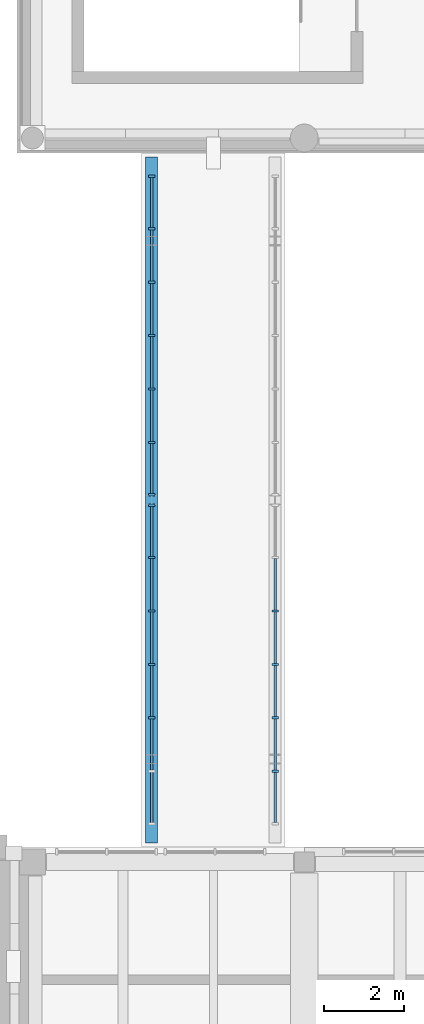
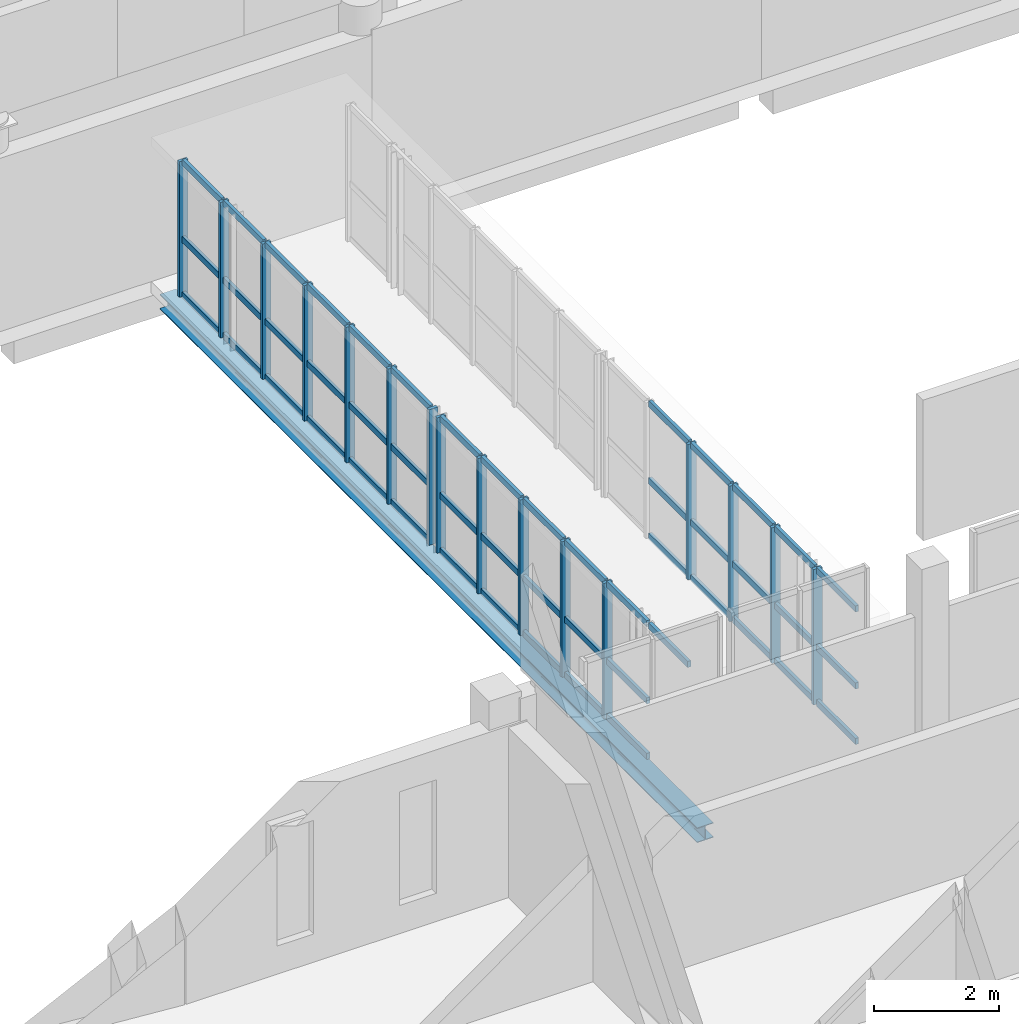
# One storey, part 12 of 76: 65 members, 1 beam, 3 elements without a shape of their own.
"""IFC4 building model written with IfcOpenShell, lengths in metres."""

from ifc_helpers import new_model, si_unit, direction, frame, origin, origin_2d, place, context, subcontext, project, spatial, rectangle, i_section, extrude, material, layer, layer_set, material_profile, profile_set, type_object, element, aggregate, save


model = new_model("IFC4")

# Units and contexts
model_context = context("Model", 3, precision=1e-05, world=origin(), true_north=direction((0.0, 1.0)))
body_context = subcontext(model_context, "Body", "Model", "MODEL_VIEW")
ifc_project = project(units=[si_unit("LENGTHUNIT", "METRE"), si_unit("AREAUNIT", "SQUARE_METRE"), si_unit("VOLUMEUNIT", "CUBIC_METRE"), si_unit("PLANEANGLEUNIT", "RADIAN"), si_unit("MASSUNIT", "GRAM", prefix="KILO")], contexts=[model_context])

# Site, building, storey
site_placement = place(None, origin())
site = spatial("IfcSite", under=ifc_project, at=site_placement, CompositionType="ELEMENT")
building_placement = place(site_placement, origin())
building = spatial("IfcBuilding", under=site, at=building_placement, Name="Vardoun Plaza Health Centre", CompositionType="ELEMENT")
storey_placement = place(building_placement, frame((0.0, 0.0, 4.5)))
storey = spatial("IfcBuildingStorey", under=building, at=storey_placement, Name="L01", CompositionType="ELEMENT", Elevation=4.5)

# Beam
ifc_material_1 = material(Name="Steel S355J2", Category="steel")
ifc_material_profile_1 = material_profile(ifc_material_1, i_section(OverallWidth=0.300048828125, OverallDepth=0.2900390625, WebThickness=0.008544921875, FlangeThickness=0.013916015625, FilletRadius=0.027099609375, at=origin_2d()), Name="HEA 300")
ifc_profile_set_1 = profile_set([ifc_material_profile_1], Name="Steel S355J2")
beam_type = type_object("IfcBeamType", Name="SB-05", PredefinedType="BEAM", material=ifc_profile_set_1)
beam_placement = place(storey_placement, frame((51.25, 19.0, -0.364990234375), z_axis=(0.0, 1.0, 0.0), x_axis=(-1.0, 0.0, 0.0)))
element("IfcBeam", 1, at=beam_placement, inside=storey, type_object=beam_type, Name="Bridge BR-06 Edge Steel Girder W", PredefinedType="BEAM", context=body_context, shape_type="SweptSolid", body=[
    extrude(i_section(OverallWidth=0.300048828125, OverallDepth=0.2900390625, WebThickness=0.008544921875, FlangeThickness=0.013916015625, FilletRadius=0.027099609375, at=origin_2d()), origin(), (0.0, 0.0, 1.0), 17.199951171875),
])

# Curtain wall, members
ifc_material_2 = material(Name="Aluminium Alloy EN AW-6063-T6 and Low-E Glass", Category="aluminium")
ifc_layer = layer(ifc_material_2, 0.14990234375)
ifc_layer_set = layer_set([ifc_layer], Name="Aluminium Alloy EN AW-6063-T6 and Low-E Glass")
curtain_wall_type = type_object("IfcCurtainWallType", Name="CW-03", PredefinedType="NOTDEFINED", material=ifc_layer_set)
curtain_wall_1_placement = place(storey_placement, origin())
curtain_wall_1 = element("IfcCurtainWall", 2, at=curtain_wall_1_placement, inside=storey, type_object=curtain_wall_type, Name="Curtain Wall CW-BR-6WS", PredefinedType="NOTDEFINED")
ifc_material_3 = material(Name="Aluminium Alloy EN AW-6063-T6", Category="aluminium")
ifc_material_profile_2 = material_profile(ifc_material_3, rectangle(XDim=0.159912109375, YDim=0.06005859375, at=origin_2d()), Name="CWM 60x160")
ifc_profile_set_2 = profile_set([ifc_material_profile_2], Name="Aluminium Alloy EN AW-6063-T6")
member_type_1 = type_object("IfcMemberType", Name="CW-M1", PredefinedType="MULLION", material=ifc_profile_set_2)
member_1_placement = place(storey_placement, frame((51.25, 22.13330078125, 0.0), z_axis=(0.0, 0.0, 1.0), x_axis=(-1.0, 0.0, 0.0)))
member_1 = element("IfcMember", 3, at=member_1_placement, type_object=member_type_1, Name="CW-BR-6WS mullion 3", PredefinedType="MULLION", context=body_context, shape_type="SweptSolid", body=[
    extrude(rectangle(XDim=0.159912109375, YDim=0.06005859375, at=origin_2d()), origin(), (0.0, 0.0, 1.0), 2.64990234375),
])
member_2_placement = place(storey_placement, frame((51.25, 23.47509765625, 0.0), z_axis=(0.0, 0.0, 1.0), x_axis=(-1.0, 0.0, 0.0)))
member_2 = element("IfcMember", 4, at=member_2_placement, type_object=member_type_1, Name="CW-BR-6WS mullion 4", PredefinedType="MULLION", context=body_context, shape_type="SweptSolid", body=[
    extrude(rectangle(XDim=0.159912109375, YDim=0.06005859375, at=origin_2d()), origin(), (0.0, 0.0, 1.0), 2.64990234375),
])
member_3_placement = place(storey_placement, frame((51.25, 24.81689453125, 0.0), z_axis=(0.0, 0.0, 1.0), x_axis=(-1.0, 0.0, 0.0)))
member_3 = element("IfcMember", 5, at=member_3_placement, type_object=member_type_1, Name="CW-BR-6WS mullion 5", PredefinedType="MULLION", context=body_context, shape_type="SweptSolid", body=[
    extrude(rectangle(XDim=0.159912109375, YDim=0.06005859375, at=origin_2d()), origin(), (0.0, 0.0, 1.0), 2.64990234375),
])
member_4_placement = place(storey_placement, frame((51.25, 26.158447265625, 0.0), z_axis=(0.0, 0.0, 1.0), x_axis=(-1.0, 0.0, 0.0)))
member_4 = element("IfcMember", 6, at=member_4_placement, type_object=member_type_1, Name="CW-BR-6WS mullion 6", PredefinedType="MULLION", context=body_context, shape_type="SweptSolid", body=[
    extrude(rectangle(XDim=0.159912109375, YDim=0.06005859375, at=origin_2d()), origin(), (0.0, 0.0, 1.0), 2.64990234375),
])
member_5_placement = place(storey_placement, frame((51.25, 27.469970703125, 0.0), z_axis=(0.0, 0.0, 1.0), x_axis=(-1.0, 0.0, 0.0)))
member_5 = element("IfcMember", 7, at=member_5_placement, type_object=member_type_1, Name="CW-BR-6WS mullion 7", PredefinedType="MULLION", context=body_context, shape_type="SweptSolid", body=[
    extrude(rectangle(XDim=0.159912109375, YDim=0.06005859375, at=origin_2d()), origin(), (0.0, 0.0, 1.0), 2.64990234375),
])

curtain_wall_2_placement = place(storey_placement, origin())
curtain_wall_2 = element("IfcCurtainWall", 8, at=curtain_wall_2_placement, inside=storey, type_object=curtain_wall_type, Name="Curtain Wall CW-BR-6ES", PredefinedType="NOTDEFINED")
member_6_placement = place(storey_placement, frame((54.35009765625, 24.81689453125, 0.0), z_axis=(0.0, 0.0, 1.0), x_axis=(1.0, 0.0, 0.0)))
member_6 = element("IfcMember", 9, at=member_6_placement, type_object=member_type_1, Name="CW-BR-6ES mullion 3", PredefinedType="MULLION", context=body_context, shape_type="SweptSolid", body=[
    extrude(rectangle(XDim=0.159912109375, YDim=0.06005859375, at=origin_2d()), origin(), (0.0, 0.0, 1.0), 2.64990234375),
])
member_7_placement = place(storey_placement, frame((54.35009765625, 23.47509765625, 0.0), z_axis=(0.0, 0.0, 1.0), x_axis=(1.0, 0.0, 0.0)))
member_7 = element("IfcMember", 10, at=member_7_placement, type_object=member_type_1, Name="CW-BR-6ES mullion 4", PredefinedType="MULLION", context=body_context, shape_type="SweptSolid", body=[
    extrude(rectangle(XDim=0.159912109375, YDim=0.06005859375, at=origin_2d()), origin(), (0.0, 0.0, 1.0), 2.64990234375),
])
member_8_placement = place(storey_placement, frame((54.35009765625, 22.13330078125, 0.0), z_axis=(0.0, 0.0, 1.0), x_axis=(1.0, 0.0, 0.0)))
member_8 = element("IfcMember", 11, at=member_8_placement, type_object=member_type_1, Name="CW-BR-6ES mullion 5", PredefinedType="MULLION", context=body_context, shape_type="SweptSolid", body=[
    extrude(rectangle(XDim=0.159912109375, YDim=0.06005859375, at=origin_2d()), origin(), (0.0, 0.0, 1.0), 2.64990234375),
])
member_9_placement = place(storey_placement, frame((54.35009765625, 20.791748046875, 0.0), z_axis=(0.0, 0.0, 1.0), x_axis=(1.0, 0.0, 0.0)))
member_9 = element("IfcMember", 12, at=member_9_placement, type_object=member_type_1, Name="CW-BR-6ES mullion 6", PredefinedType="MULLION", context=body_context, shape_type="SweptSolid", body=[
    extrude(rectangle(XDim=0.159912109375, YDim=0.06005859375, at=origin_2d()), origin(), (0.0, 0.0, 1.0), 2.64990234375),
])

curtain_wall_3_placement = place(storey_placement, origin())
curtain_wall_3 = element("IfcCurtainWall", 13, at=curtain_wall_3_placement, inside=storey, type_object=curtain_wall_type, Name="Curtain Wall CW-BR-6WN", PredefinedType="NOTDEFINED")
member_10_placement = place(storey_placement, frame((51.25, 27.72998046875, 0.0), z_axis=(0.0, 0.0, 1.0), x_axis=(-1.0, 0.0, 0.0)))
member_10 = element("IfcMember", 14, at=member_10_placement, type_object=member_type_1, Name="CW-BR-6WN mullion 1", PredefinedType="MULLION", context=body_context, shape_type="SweptSolid", body=[
    extrude(rectangle(XDim=0.159912109375, YDim=0.06005859375, at=origin_2d()), origin(), (0.0, 0.0, 1.0), 2.64990234375),
])
member_11_placement = place(storey_placement, frame((51.25, 29.041748046875, 0.0), z_axis=(0.0, 0.0, 1.0), x_axis=(-1.0, 0.0, 0.0)))
member_11 = element("IfcMember", 15, at=member_11_placement, type_object=member_type_1, Name="CW-BR-6WN mullion 2", PredefinedType="MULLION", context=body_context, shape_type="SweptSolid", body=[
    extrude(rectangle(XDim=0.159912109375, YDim=0.06005859375, at=origin_2d()), origin(), (0.0, 0.0, 1.0), 2.64990234375),
])
member_12_placement = place(storey_placement, frame((51.25, 30.38330078125, 0.0), z_axis=(0.0, 0.0, 1.0), x_axis=(-1.0, 0.0, 0.0)))
member_12 = element("IfcMember", 16, at=member_12_placement, type_object=member_type_1, Name="CW-BR-6WN mullion 3", PredefinedType="MULLION", context=body_context, shape_type="SweptSolid", body=[
    extrude(rectangle(XDim=0.159912109375, YDim=0.06005859375, at=origin_2d()), origin(), (0.0, 0.0, 1.0), 2.64990234375),
])
member_13_placement = place(storey_placement, frame((51.25, 31.72509765625, 0.0), z_axis=(0.0, 0.0, 1.0), x_axis=(-1.0, 0.0, 0.0)))
member_13 = element("IfcMember", 17, at=member_13_placement, type_object=member_type_1, Name="CW-BR-6WN mullion 4", PredefinedType="MULLION", context=body_context, shape_type="SweptSolid", body=[
    extrude(rectangle(XDim=0.159912109375, YDim=0.06005859375, at=origin_2d()), origin(), (0.0, 0.0, 1.0), 2.64990234375),
])
member_14_placement = place(storey_placement, frame((51.25, 33.066650390625, 0.0), z_axis=(0.0, 0.0, 1.0), x_axis=(-1.0, 0.0, 0.0)))
member_14 = element("IfcMember", 18, at=member_14_placement, type_object=member_type_1, Name="CW-BR-6WN mullion 5", PredefinedType="MULLION", context=body_context, shape_type="SweptSolid", body=[
    extrude(rectangle(XDim=0.159912109375, YDim=0.06005859375, at=origin_2d()), origin(), (0.0, 0.0, 1.0), 2.64990234375),
])
member_15_placement = place(storey_placement, frame((51.25, 34.408447265625, 0.0), z_axis=(0.0, 0.0, 1.0), x_axis=(-1.0, 0.0, 0.0)))
member_15 = element("IfcMember", 19, at=member_15_placement, type_object=member_type_1, Name="CW-BR-6WN mullion 6", PredefinedType="MULLION", context=body_context, shape_type="SweptSolid", body=[
    extrude(rectangle(XDim=0.159912109375, YDim=0.06005859375, at=origin_2d()), origin(), (0.0, 0.0, 1.0), 2.64990234375),
])
member_16_placement = place(storey_placement, frame((51.25, 35.719970703125, 0.0), z_axis=(0.0, 0.0, 1.0), x_axis=(-1.0, 0.0, 0.0)))
member_16 = element("IfcMember", 20, at=member_16_placement, type_object=member_type_1, Name="CW-BR-6WN mullion 7", PredefinedType="MULLION", context=body_context, shape_type="SweptSolid", body=[
    extrude(rectangle(XDim=0.159912109375, YDim=0.06005859375, at=origin_2d()), origin(), (0.0, 0.0, 1.0), 2.64990234375),
])

# Member
ifc_material_4 = material(Name="Aluminium Alloy EN AW-6063-T6", Category="aluminium")
ifc_material_profile_3 = material_profile(ifc_material_4, rectangle(XDim=0.06005859375, YDim=0.1201171875, at=origin_2d()), Name="CWT 60x120")
ifc_profile_set_3 = profile_set([ifc_material_profile_3], Name="Aluminium Alloy EN AW-6063-T6")
member_type_2 = type_object("IfcMemberType", Name="CW-T1", PredefinedType="USERDEFINED", material=ifc_profile_set_3)
member_17_placement = place(storey_placement, frame((51.25, 19.510009765625, 2.6201171875), z_axis=(0.0, 1.0, 0.0), x_axis=(-1.0, 0.0, 0.0)))
member_17 = element("IfcMember", 21, at=member_17_placement, type_object=member_type_2, Name="CW-BR-6WS transom 1.3", ObjectType="TRANSOM", PredefinedType="USERDEFINED", context=body_context, shape_type="SweptSolid", body=[
    extrude(rectangle(XDim=0.06005859375, YDim=0.1201171875, at=origin_2d()), origin(), (0.0, 0.0, 1.0), 1.251708984375),
])

member_18_placement = place(storey_placement, frame((51.25, 20.82177734375, 0.030029296875), z_axis=(0.0, 1.0, 0.0), x_axis=(-1.0, 0.0, 0.0)))
member_18 = element("IfcMember", 22, at=member_18_placement, type_object=member_type_2, Name="CW-BR-6WS transom 2.1", ObjectType="TRANSOM", PredefinedType="USERDEFINED", context=body_context, shape_type="SweptSolid", body=[
    extrude(rectangle(XDim=0.06005859375, YDim=0.1201171875, at=origin_2d()), origin(), (0.0, 0.0, 1.0), 1.28173828125),
])

member_19_placement = place(storey_placement, frame((51.25, 20.82177734375, 1.113037109375), z_axis=(0.0, 1.0, 0.0), x_axis=(-1.0, 0.0, 0.0)))
member_19 = element("IfcMember", 23, at=member_19_placement, type_object=member_type_2, Name="CW-BR-6WS transom 2.2", ObjectType="TRANSOM", PredefinedType="USERDEFINED", context=body_context, shape_type="SweptSolid", body=[
    extrude(rectangle(XDim=0.06005859375, YDim=0.1201171875, at=origin_2d()), origin(), (0.0, 0.0, 1.0), 1.28173828125),
])

member_20_placement = place(storey_placement, frame((51.25, 20.82177734375, 2.6201171875), z_axis=(0.0, 1.0, 0.0), x_axis=(-1.0, 0.0, 0.0)))
member_20 = element("IfcMember", 24, at=member_20_placement, type_object=member_type_2, Name="CW-BR-6WS transom 2.3", ObjectType="TRANSOM", PredefinedType="USERDEFINED", context=body_context, shape_type="SweptSolid", body=[
    extrude(rectangle(XDim=0.06005859375, YDim=0.1201171875, at=origin_2d()), origin(), (0.0, 0.0, 1.0), 1.28173828125),
])

member_21_placement = place(storey_placement, frame((51.25, 22.163330078125, 0.030029296875), z_axis=(0.0, 1.0, 0.0), x_axis=(-1.0, 0.0, 0.0)))
member_21 = element("IfcMember", 25, at=member_21_placement, type_object=member_type_2, Name="CW-BR-6WS transom 3.1", ObjectType="TRANSOM", PredefinedType="USERDEFINED", context=body_context, shape_type="SweptSolid", body=[
    extrude(rectangle(XDim=0.06005859375, YDim=0.1201171875, at=origin_2d()), origin(), (0.0, 0.0, 1.0), 1.28173828125),
])

member_22_placement = place(storey_placement, frame((51.25, 22.163330078125, 1.113037109375), z_axis=(0.0, 1.0, 0.0), x_axis=(-1.0, 0.0, 0.0)))
member_22 = element("IfcMember", 26, at=member_22_placement, type_object=member_type_2, Name="CW-BR-6WS transom 3.2", ObjectType="TRANSOM", PredefinedType="USERDEFINED", context=body_context, shape_type="SweptSolid", body=[
    extrude(rectangle(XDim=0.06005859375, YDim=0.1201171875, at=origin_2d()), origin(), (0.0, 0.0, 1.0), 1.28173828125),
])

member_23_placement = place(storey_placement, frame((51.25, 22.163330078125, 2.6201171875), z_axis=(0.0, 1.0, 0.0), x_axis=(-1.0, 0.0, 0.0)))
member_23 = element("IfcMember", 27, at=member_23_placement, type_object=member_type_2, Name="CW-BR-6WS transom 3.3", ObjectType="TRANSOM", PredefinedType="USERDEFINED", context=body_context, shape_type="SweptSolid", body=[
    extrude(rectangle(XDim=0.06005859375, YDim=0.1201171875, at=origin_2d()), origin(), (0.0, 0.0, 1.0), 1.28173828125),
])

member_24_placement = place(storey_placement, frame((51.25, 23.5048828125, 0.030029296875), z_axis=(0.0, 1.0, 0.0), x_axis=(-1.0, 0.0, 0.0)))
member_24 = element("IfcMember", 28, at=member_24_placement, type_object=member_type_2, Name="CW-BR-6WS transom 4.1", ObjectType="TRANSOM", PredefinedType="USERDEFINED", context=body_context, shape_type="SweptSolid", body=[
    extrude(rectangle(XDim=0.06005859375, YDim=0.1201171875, at=origin_2d()), origin(), (0.0, 0.0, 1.0), 1.28173828125),
])

member_25_placement = place(storey_placement, frame((51.25, 23.5048828125, 1.113037109375), z_axis=(0.0, 1.0, 0.0), x_axis=(-1.0, 0.0, 0.0)))
member_25 = element("IfcMember", 29, at=member_25_placement, type_object=member_type_2, Name="CW-BR-6WS transom 4.2", ObjectType="TRANSOM", PredefinedType="USERDEFINED", context=body_context, shape_type="SweptSolid", body=[
    extrude(rectangle(XDim=0.06005859375, YDim=0.1201171875, at=origin_2d()), origin(), (0.0, 0.0, 1.0), 1.28173828125),
])

member_26_placement = place(storey_placement, frame((51.25, 23.5048828125, 2.6201171875), z_axis=(0.0, 1.0, 0.0), x_axis=(-1.0, 0.0, 0.0)))
member_26 = element("IfcMember", 30, at=member_26_placement, type_object=member_type_2, Name="CW-BR-6WS transom 4.3", ObjectType="TRANSOM", PredefinedType="USERDEFINED", context=body_context, shape_type="SweptSolid", body=[
    extrude(rectangle(XDim=0.06005859375, YDim=0.1201171875, at=origin_2d()), origin(), (0.0, 0.0, 1.0), 1.28173828125),
])

member_27_placement = place(storey_placement, frame((51.25, 24.8466796875, 0.030029296875), z_axis=(0.0, 1.0, 0.0), x_axis=(-1.0, 0.0, 0.0)))
member_27 = element("IfcMember", 31, at=member_27_placement, type_object=member_type_2, Name="CW-BR-6WS transom 5.1", ObjectType="TRANSOM", PredefinedType="USERDEFINED", context=body_context, shape_type="SweptSolid", body=[
    extrude(rectangle(XDim=0.06005859375, YDim=0.1201171875, at=origin_2d()), origin(), (0.0, 0.0, 1.0), 1.28173828125),
])

member_28_placement = place(storey_placement, frame((51.25, 24.8466796875, 1.113037109375), z_axis=(0.0, 1.0, 0.0), x_axis=(-1.0, 0.0, 0.0)))
member_28 = element("IfcMember", 32, at=member_28_placement, type_object=member_type_2, Name="CW-BR-6WS transom 5.2", ObjectType="TRANSOM", PredefinedType="USERDEFINED", context=body_context, shape_type="SweptSolid", body=[
    extrude(rectangle(XDim=0.06005859375, YDim=0.1201171875, at=origin_2d()), origin(), (0.0, 0.0, 1.0), 1.28173828125),
])

member_29_placement = place(storey_placement, frame((51.25, 24.8466796875, 2.6201171875), z_axis=(0.0, 1.0, 0.0), x_axis=(-1.0, 0.0, 0.0)))
member_29 = element("IfcMember", 33, at=member_29_placement, type_object=member_type_2, Name="CW-BR-6WS transom 5.3", ObjectType="TRANSOM", PredefinedType="USERDEFINED", context=body_context, shape_type="SweptSolid", body=[
    extrude(rectangle(XDim=0.06005859375, YDim=0.1201171875, at=origin_2d()), origin(), (0.0, 0.0, 1.0), 1.28173828125),
])

member_30_placement = place(storey_placement, frame((51.25, 26.1884765625, 0.030029296875), z_axis=(0.0, 1.0, 0.0), x_axis=(-1.0, 0.0, 0.0)))
member_30 = element("IfcMember", 34, at=member_30_placement, type_object=member_type_2, Name="CW-BR-6WS transom 6.1", ObjectType="TRANSOM", PredefinedType="USERDEFINED", context=body_context, shape_type="SweptSolid", body=[
    extrude(rectangle(XDim=0.06005859375, YDim=0.1201171875, at=origin_2d()), origin(), (0.0, 0.0, 1.0), 1.251708984375),
])

member_31_placement = place(storey_placement, frame((51.25, 26.1884765625, 1.113037109375), z_axis=(0.0, 1.0, 0.0), x_axis=(-1.0, 0.0, 0.0)))
member_31 = element("IfcMember", 35, at=member_31_placement, type_object=member_type_2, Name="CW-BR-6WS transom 6.2", ObjectType="TRANSOM", PredefinedType="USERDEFINED", context=body_context, shape_type="SweptSolid", body=[
    extrude(rectangle(XDim=0.06005859375, YDim=0.1201171875, at=origin_2d()), origin(), (0.0, 0.0, 1.0), 1.251708984375),
])

member_32_placement = place(storey_placement, frame((51.25, 26.1884765625, 2.6201171875), z_axis=(0.0, 1.0, 0.0), x_axis=(-1.0, 0.0, 0.0)))
member_32 = element("IfcMember", 36, at=member_32_placement, type_object=member_type_2, Name="CW-BR-6WS transom 6.3", ObjectType="TRANSOM", PredefinedType="USERDEFINED", context=body_context, shape_type="SweptSolid", body=[
    extrude(rectangle(XDim=0.06005859375, YDim=0.1201171875, at=origin_2d()), origin(), (0.0, 0.0, 1.0), 1.251708984375),
])

aggregate(curtain_wall_1, [member_1, member_2, member_3, member_4, member_5, member_17, member_18, member_19, member_20, member_21, member_22, member_23, member_24, member_25, member_26, member_27, member_28, member_29, member_30, member_31, member_32])

member_33_placement = place(storey_placement, frame((54.35009765625, 26.12841796875, 0.030029296875), z_axis=(0.0, -1.0, 0.0), x_axis=(1.0, 0.0, 0.0)))
member_33 = element("IfcMember", 37, at=member_33_placement, type_object=member_type_2, Name="CW-BR-6ES transom 2.1", ObjectType="TRANSOM", PredefinedType="USERDEFINED", context=body_context, shape_type="SweptSolid", body=[
    extrude(rectangle(XDim=0.06005859375, YDim=0.1201171875, at=origin_2d()), origin(), (0.0, 0.0, 1.0), 1.28173828125),
])

member_34_placement = place(storey_placement, frame((54.35009765625, 26.12841796875, 1.113037109375), z_axis=(0.0, -1.0, 0.0), x_axis=(1.0, 0.0, 0.0)))
member_34 = element("IfcMember", 38, at=member_34_placement, type_object=member_type_2, Name="CW-BR-6ES transom 2.2", ObjectType="TRANSOM", PredefinedType="USERDEFINED", context=body_context, shape_type="SweptSolid", body=[
    extrude(rectangle(XDim=0.06005859375, YDim=0.1201171875, at=origin_2d()), origin(), (0.0, 0.0, 1.0), 1.28173828125),
])

member_35_placement = place(storey_placement, frame((54.35009765625, 26.12841796875, 2.6201171875), z_axis=(0.0, -1.0, 0.0), x_axis=(1.0, 0.0, 0.0)))
member_35 = element("IfcMember", 39, at=member_35_placement, type_object=member_type_2, Name="CW-BR-6ES transom 2.3", ObjectType="TRANSOM", PredefinedType="USERDEFINED", context=body_context, shape_type="SweptSolid", body=[
    extrude(rectangle(XDim=0.06005859375, YDim=0.1201171875, at=origin_2d()), origin(), (0.0, 0.0, 1.0), 1.28173828125),
])

member_36_placement = place(storey_placement, frame((54.35009765625, 24.78662109375, 0.030029296875), z_axis=(0.0, -1.0, 0.0), x_axis=(1.0, 0.0, 0.0)))
member_36 = element("IfcMember", 40, at=member_36_placement, type_object=member_type_2, Name="CW-BR-6ES transom 3.1", ObjectType="TRANSOM", PredefinedType="USERDEFINED", context=body_context, shape_type="SweptSolid", body=[
    extrude(rectangle(XDim=0.06005859375, YDim=0.1201171875, at=origin_2d()), origin(), (0.0, 0.0, 1.0), 1.28173828125),
])

member_37_placement = place(storey_placement, frame((54.35009765625, 24.78662109375, 1.113037109375), z_axis=(0.0, -1.0, 0.0), x_axis=(1.0, 0.0, 0.0)))
member_37 = element("IfcMember", 41, at=member_37_placement, type_object=member_type_2, Name="CW-BR-6ES transom 3.2", ObjectType="TRANSOM", PredefinedType="USERDEFINED", context=body_context, shape_type="SweptSolid", body=[
    extrude(rectangle(XDim=0.06005859375, YDim=0.1201171875, at=origin_2d()), origin(), (0.0, 0.0, 1.0), 1.28173828125),
])

member_38_placement = place(storey_placement, frame((54.35009765625, 24.78662109375, 2.6201171875), z_axis=(0.0, -1.0, 0.0), x_axis=(1.0, 0.0, 0.0)))
member_38 = element("IfcMember", 42, at=member_38_placement, type_object=member_type_2, Name="CW-BR-6ES transom 3.3", ObjectType="TRANSOM", PredefinedType="USERDEFINED", context=body_context, shape_type="SweptSolid", body=[
    extrude(rectangle(XDim=0.06005859375, YDim=0.1201171875, at=origin_2d()), origin(), (0.0, 0.0, 1.0), 1.28173828125),
])

member_39_placement = place(storey_placement, frame((54.35009765625, 23.445068359375, 0.030029296875), z_axis=(0.0, -1.0, 0.0), x_axis=(1.0, 0.0, 0.0)))
member_39 = element("IfcMember", 43, at=member_39_placement, type_object=member_type_2, Name="CW-BR-6ES transom 4.1", ObjectType="TRANSOM", PredefinedType="USERDEFINED", context=body_context, shape_type="SweptSolid", body=[
    extrude(rectangle(XDim=0.06005859375, YDim=0.1201171875, at=origin_2d()), origin(), (0.0, 0.0, 1.0), 1.28173828125),
])

member_40_placement = place(storey_placement, frame((54.35009765625, 23.445068359375, 1.113037109375), z_axis=(0.0, -1.0, 0.0), x_axis=(1.0, 0.0, 0.0)))
member_40 = element("IfcMember", 44, at=member_40_placement, type_object=member_type_2, Name="CW-BR-6ES transom 4.2", ObjectType="TRANSOM", PredefinedType="USERDEFINED", context=body_context, shape_type="SweptSolid", body=[
    extrude(rectangle(XDim=0.06005859375, YDim=0.1201171875, at=origin_2d()), origin(), (0.0, 0.0, 1.0), 1.28173828125),
])

member_41_placement = place(storey_placement, frame((54.35009765625, 23.445068359375, 2.6201171875), z_axis=(0.0, -1.0, 0.0), x_axis=(1.0, 0.0, 0.0)))
member_41 = element("IfcMember", 45, at=member_41_placement, type_object=member_type_2, Name="CW-BR-6ES transom 4.3", ObjectType="TRANSOM", PredefinedType="USERDEFINED", context=body_context, shape_type="SweptSolid", body=[
    extrude(rectangle(XDim=0.06005859375, YDim=0.1201171875, at=origin_2d()), origin(), (0.0, 0.0, 1.0), 1.28173828125),
])

member_42_placement = place(storey_placement, frame((54.35009765625, 22.103515625, 0.030029296875), z_axis=(0.0, -1.0, 0.0), x_axis=(1.0, 0.0, 0.0)))
member_42 = element("IfcMember", 46, at=member_42_placement, type_object=member_type_2, Name="CW-BR-6ES transom 5.1", ObjectType="TRANSOM", PredefinedType="USERDEFINED", context=body_context, shape_type="SweptSolid", body=[
    extrude(rectangle(XDim=0.06005859375, YDim=0.1201171875, at=origin_2d()), origin(), (0.0, 0.0, 1.0), 1.28173828125),
])

member_43_placement = place(storey_placement, frame((54.35009765625, 22.103515625, 1.113037109375), z_axis=(0.0, -1.0, 0.0), x_axis=(1.0, 0.0, 0.0)))
member_43 = element("IfcMember", 47, at=member_43_placement, type_object=member_type_2, Name="CW-BR-6ES transom 5.2", ObjectType="TRANSOM", PredefinedType="USERDEFINED", context=body_context, shape_type="SweptSolid", body=[
    extrude(rectangle(XDim=0.06005859375, YDim=0.1201171875, at=origin_2d()), origin(), (0.0, 0.0, 1.0), 1.28173828125),
])

member_44_placement = place(storey_placement, frame((54.35009765625, 22.103515625, 2.6201171875), z_axis=(0.0, -1.0, 0.0), x_axis=(1.0, 0.0, 0.0)))
member_44 = element("IfcMember", 48, at=member_44_placement, type_object=member_type_2, Name="CW-BR-6ES transom 5.3", ObjectType="TRANSOM", PredefinedType="USERDEFINED", context=body_context, shape_type="SweptSolid", body=[
    extrude(rectangle(XDim=0.06005859375, YDim=0.1201171875, at=origin_2d()), origin(), (0.0, 0.0, 1.0), 1.28173828125),
])

member_45_placement = place(storey_placement, frame((54.35009765625, 20.76171875, 0.030029296875), z_axis=(0.0, -1.0, 0.0), x_axis=(1.0, 0.0, 0.0)))
member_45 = element("IfcMember", 49, at=member_45_placement, type_object=member_type_2, Name="CW-BR-6ES transom 6.1", ObjectType="TRANSOM", PredefinedType="USERDEFINED", context=body_context, shape_type="SweptSolid", body=[
    extrude(rectangle(XDim=0.06005859375, YDim=0.1201171875, at=origin_2d()), origin(), (0.0, 0.0, 1.0), 1.251708984375),
])

member_46_placement = place(storey_placement, frame((54.35009765625, 20.76171875, 1.113037109375), z_axis=(0.0, -1.0, 0.0), x_axis=(1.0, 0.0, 0.0)))
member_46 = element("IfcMember", 50, at=member_46_placement, type_object=member_type_2, Name="CW-BR-6ES transom 6.2", ObjectType="TRANSOM", PredefinedType="USERDEFINED", context=body_context, shape_type="SweptSolid", body=[
    extrude(rectangle(XDim=0.06005859375, YDim=0.1201171875, at=origin_2d()), origin(), (0.0, 0.0, 1.0), 1.251708984375),
])

member_47_placement = place(storey_placement, frame((54.35009765625, 20.76171875, 2.6201171875), z_axis=(0.0, -1.0, 0.0), x_axis=(1.0, 0.0, 0.0)))
member_47 = element("IfcMember", 51, at=member_47_placement, type_object=member_type_2, Name="CW-BR-6ES transom 6.3", ObjectType="TRANSOM", PredefinedType="USERDEFINED", context=body_context, shape_type="SweptSolid", body=[
    extrude(rectangle(XDim=0.06005859375, YDim=0.1201171875, at=origin_2d()), origin(), (0.0, 0.0, 1.0), 1.251708984375),
])

aggregate(curtain_wall_2, [member_6, member_7, member_8, member_9, member_33, member_34, member_35, member_36, member_37, member_38, member_39, member_40, member_41, member_42, member_43, member_44, member_45, member_46, member_47])

member_48_placement = place(storey_placement, frame((51.25, 27.760009765625, 0.030029296875), z_axis=(0.0, 1.0, 0.0), x_axis=(-1.0, 0.0, 0.0)))
member_48 = element("IfcMember", 52, at=member_48_placement, type_object=member_type_2, Name="CW-BR-6WN transom 1.1", ObjectType="TRANSOM", PredefinedType="USERDEFINED", context=body_context, shape_type="SweptSolid", body=[
    extrude(rectangle(XDim=0.06005859375, YDim=0.1201171875, at=origin_2d()), origin(), (0.0, 0.0, 1.0), 1.251708984375),
])

member_49_placement = place(storey_placement, frame((51.25, 27.760009765625, 1.113037109375), z_axis=(0.0, 1.0, 0.0), x_axis=(-1.0, 0.0, 0.0)))
member_49 = element("IfcMember", 53, at=member_49_placement, type_object=member_type_2, Name="CW-BR-6WN transom 1.2", ObjectType="TRANSOM", PredefinedType="USERDEFINED", context=body_context, shape_type="SweptSolid", body=[
    extrude(rectangle(XDim=0.06005859375, YDim=0.1201171875, at=origin_2d()), origin(), (0.0, 0.0, 1.0), 1.251708984375),
])

member_50_placement = place(storey_placement, frame((51.25, 27.760009765625, 2.6201171875), z_axis=(0.0, 1.0, 0.0), x_axis=(-1.0, 0.0, 0.0)))
member_50 = element("IfcMember", 54, at=member_50_placement, type_object=member_type_2, Name="CW-BR-6WN transom 1.3", ObjectType="TRANSOM", PredefinedType="USERDEFINED", context=body_context, shape_type="SweptSolid", body=[
    extrude(rectangle(XDim=0.06005859375, YDim=0.1201171875, at=origin_2d()), origin(), (0.0, 0.0, 1.0), 1.251708984375),
])

member_51_placement = place(storey_placement, frame((51.25, 29.07177734375, 0.030029296875), z_axis=(0.0, 1.0, 0.0), x_axis=(-1.0, 0.0, 0.0)))
member_51 = element("IfcMember", 55, at=member_51_placement, type_object=member_type_2, Name="CW-BR-6WN transom 2.1", ObjectType="TRANSOM", PredefinedType="USERDEFINED", context=body_context, shape_type="SweptSolid", body=[
    extrude(rectangle(XDim=0.06005859375, YDim=0.1201171875, at=origin_2d()), origin(), (0.0, 0.0, 1.0), 1.28173828125),
])

member_52_placement = place(storey_placement, frame((51.25, 29.07177734375, 1.113037109375), z_axis=(0.0, 1.0, 0.0), x_axis=(-1.0, 0.0, 0.0)))
member_52 = element("IfcMember", 56, at=member_52_placement, type_object=member_type_2, Name="CW-BR-6WN transom 2.2", ObjectType="TRANSOM", PredefinedType="USERDEFINED", context=body_context, shape_type="SweptSolid", body=[
    extrude(rectangle(XDim=0.06005859375, YDim=0.1201171875, at=origin_2d()), origin(), (0.0, 0.0, 1.0), 1.28173828125),
])

member_53_placement = place(storey_placement, frame((51.25, 29.07177734375, 2.6201171875), z_axis=(0.0, 1.0, 0.0), x_axis=(-1.0, 0.0, 0.0)))
member_53 = element("IfcMember", 57, at=member_53_placement, type_object=member_type_2, Name="CW-BR-6WN transom 2.3", ObjectType="TRANSOM", PredefinedType="USERDEFINED", context=body_context, shape_type="SweptSolid", body=[
    extrude(rectangle(XDim=0.06005859375, YDim=0.1201171875, at=origin_2d()), origin(), (0.0, 0.0, 1.0), 1.28173828125),
])

member_54_placement = place(storey_placement, frame((51.25, 30.413330078125, 0.030029296875), z_axis=(0.0, 1.0, 0.0), x_axis=(-1.0, 0.0, 0.0)))
member_54 = element("IfcMember", 58, at=member_54_placement, type_object=member_type_2, Name="CW-BR-6WN transom 3.1", ObjectType="TRANSOM", PredefinedType="USERDEFINED", context=body_context, shape_type="SweptSolid", body=[
    extrude(rectangle(XDim=0.06005859375, YDim=0.1201171875, at=origin_2d()), origin(), (0.0, 0.0, 1.0), 1.28173828125),
])

member_55_placement = place(storey_placement, frame((51.25, 30.413330078125, 1.113037109375), z_axis=(0.0, 1.0, 0.0), x_axis=(-1.0, 0.0, 0.0)))
member_55 = element("IfcMember", 59, at=member_55_placement, type_object=member_type_2, Name="CW-BR-6WN transom 3.2", ObjectType="TRANSOM", PredefinedType="USERDEFINED", context=body_context, shape_type="SweptSolid", body=[
    extrude(rectangle(XDim=0.06005859375, YDim=0.1201171875, at=origin_2d()), origin(), (0.0, 0.0, 1.0), 1.28173828125),
])

member_56_placement = place(storey_placement, frame((51.25, 30.413330078125, 2.6201171875), z_axis=(0.0, 1.0, 0.0), x_axis=(-1.0, 0.0, 0.0)))
member_56 = element("IfcMember", 60, at=member_56_placement, type_object=member_type_2, Name="CW-BR-6WN transom 3.3", ObjectType="TRANSOM", PredefinedType="USERDEFINED", context=body_context, shape_type="SweptSolid", body=[
    extrude(rectangle(XDim=0.06005859375, YDim=0.1201171875, at=origin_2d()), origin(), (0.0, 0.0, 1.0), 1.28173828125),
])

member_57_placement = place(storey_placement, frame((51.25, 31.7548828125, 0.030029296875), z_axis=(0.0, 1.0, 0.0), x_axis=(-1.0, 0.0, 0.0)))
member_57 = element("IfcMember", 61, at=member_57_placement, type_object=member_type_2, Name="CW-BR-6WN transom 4.1", ObjectType="TRANSOM", PredefinedType="USERDEFINED", context=body_context, shape_type="SweptSolid", body=[
    extrude(rectangle(XDim=0.06005859375, YDim=0.1201171875, at=origin_2d()), origin(), (0.0, 0.0, 1.0), 1.28173828125),
])

member_58_placement = place(storey_placement, frame((51.25, 31.7548828125, 1.113037109375), z_axis=(0.0, 1.0, 0.0), x_axis=(-1.0, 0.0, 0.0)))
member_58 = element("IfcMember", 62, at=member_58_placement, type_object=member_type_2, Name="CW-BR-6WN transom 4.2", ObjectType="TRANSOM", PredefinedType="USERDEFINED", context=body_context, shape_type="SweptSolid", body=[
    extrude(rectangle(XDim=0.06005859375, YDim=0.1201171875, at=origin_2d()), origin(), (0.0, 0.0, 1.0), 1.28173828125),
])

member_59_placement = place(storey_placement, frame((51.25, 31.7548828125, 2.6201171875), z_axis=(0.0, 1.0, 0.0), x_axis=(-1.0, 0.0, 0.0)))
member_59 = element("IfcMember", 63, at=member_59_placement, type_object=member_type_2, Name="CW-BR-6WN transom 4.3", ObjectType="TRANSOM", PredefinedType="USERDEFINED", context=body_context, shape_type="SweptSolid", body=[
    extrude(rectangle(XDim=0.06005859375, YDim=0.1201171875, at=origin_2d()), origin(), (0.0, 0.0, 1.0), 1.28173828125),
])

member_60_placement = place(storey_placement, frame((51.25, 33.0966796875, 0.030029296875), z_axis=(0.0, 1.0, 0.0), x_axis=(-1.0, 0.0, 0.0)))
member_60 = element("IfcMember", 64, at=member_60_placement, type_object=member_type_2, Name="CW-BR-6WN transom 5.1", ObjectType="TRANSOM", PredefinedType="USERDEFINED", context=body_context, shape_type="SweptSolid", body=[
    extrude(rectangle(XDim=0.06005859375, YDim=0.1201171875, at=origin_2d()), origin(), (0.0, 0.0, 1.0), 1.28173828125),
])

member_61_placement = place(storey_placement, frame((51.25, 33.0966796875, 1.113037109375), z_axis=(0.0, 1.0, 0.0), x_axis=(-1.0, 0.0, 0.0)))
member_61 = element("IfcMember", 65, at=member_61_placement, type_object=member_type_2, Name="CW-BR-6WN transom 5.2", ObjectType="TRANSOM", PredefinedType="USERDEFINED", context=body_context, shape_type="SweptSolid", body=[
    extrude(rectangle(XDim=0.06005859375, YDim=0.1201171875, at=origin_2d()), origin(), (0.0, 0.0, 1.0), 1.28173828125),
])

member_62_placement = place(storey_placement, frame((51.25, 33.0966796875, 2.6201171875), z_axis=(0.0, 1.0, 0.0), x_axis=(-1.0, 0.0, 0.0)))
member_62 = element("IfcMember", 66, at=member_62_placement, type_object=member_type_2, Name="CW-BR-6WN transom 5.3", ObjectType="TRANSOM", PredefinedType="USERDEFINED", context=body_context, shape_type="SweptSolid", body=[
    extrude(rectangle(XDim=0.06005859375, YDim=0.1201171875, at=origin_2d()), origin(), (0.0, 0.0, 1.0), 1.28173828125),
])

member_63_placement = place(storey_placement, frame((51.25, 34.438232421875, 0.030029296875), z_axis=(0.0, 1.0, 0.0), x_axis=(-1.0, 0.0, 0.0)))
member_63 = element("IfcMember", 67, at=member_63_placement, type_object=member_type_2, Name="CW-BR-6WN transom 6.1", ObjectType="TRANSOM", PredefinedType="USERDEFINED", context=body_context, shape_type="SweptSolid", body=[
    extrude(rectangle(XDim=0.06005859375, YDim=0.1201171875, at=origin_2d()), origin(), (0.0, 0.0, 1.0), 1.251708984375),
])

member_64_placement = place(storey_placement, frame((51.25, 34.438232421875, 1.113037109375), z_axis=(0.0, 1.0, 0.0), x_axis=(-1.0, 0.0, 0.0)))
member_64 = element("IfcMember", 68, at=member_64_placement, type_object=member_type_2, Name="CW-BR-6WN transom 6.2", ObjectType="TRANSOM", PredefinedType="USERDEFINED", context=body_context, shape_type="SweptSolid", body=[
    extrude(rectangle(XDim=0.06005859375, YDim=0.1201171875, at=origin_2d()), origin(), (0.0, 0.0, 1.0), 1.251708984375),
])

member_65_placement = place(storey_placement, frame((51.25, 34.438232421875, 2.6201171875), z_axis=(0.0, 1.0, 0.0), x_axis=(-1.0, 0.0, 0.0)))
member_65 = element("IfcMember", 69, at=member_65_placement, type_object=member_type_2, Name="CW-BR-6WN transom 6.3", ObjectType="TRANSOM", PredefinedType="USERDEFINED", context=body_context, shape_type="SweptSolid", body=[
    extrude(rectangle(XDim=0.06005859375, YDim=0.1201171875, at=origin_2d()), origin(), (0.0, 0.0, 1.0), 1.251708984375),
])

aggregate(curtain_wall_3, [member_10, member_11, member_12, member_13, member_14, member_15, member_16, member_48, member_49, member_50, member_51, member_52, member_53, member_54, member_55, member_56, member_57, member_58, member_59, member_60, member_61, member_62, member_63, member_64, member_65])

save(model, "model.ifc")
